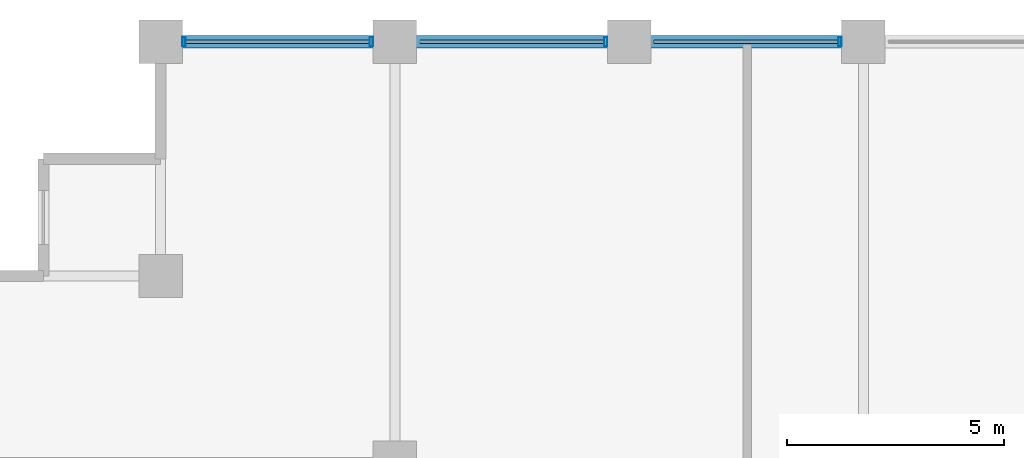
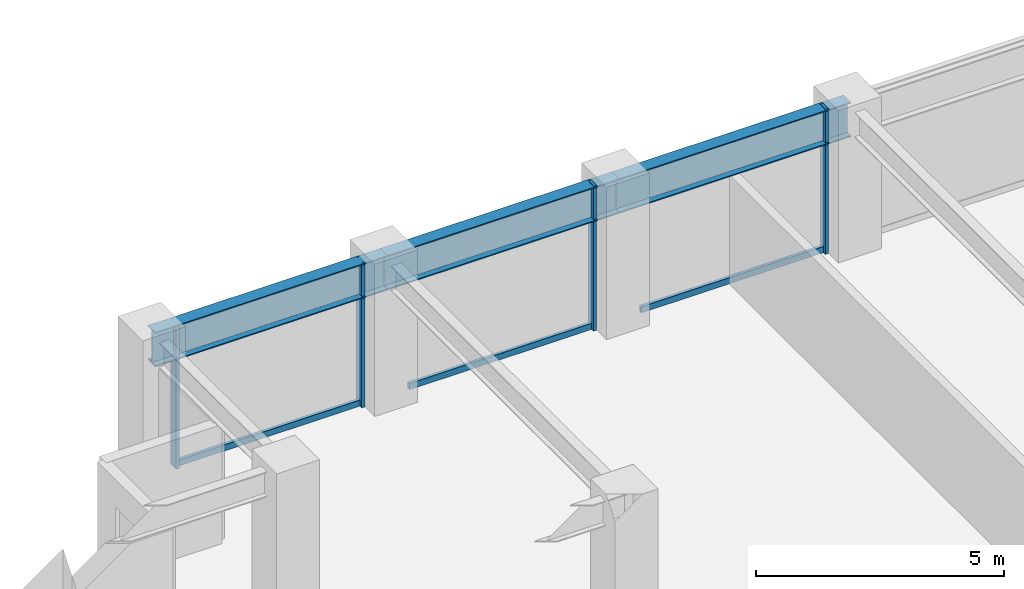
# One storey, part 14 of 29: 7 members, 3 beams, 1 element without a shape of its own.
"""IFC4 building model written with IfcOpenShell, lengths in metres."""

from ifc_helpers import new_model, si_unit, direction, frame, origin, origin_2d, place, context, subcontext, project, spatial, hollow_rectangle, i_section, extrude, material, layer, layer_set, material_profile, profile_set, type_object, element, aggregate, save


model = new_model("IFC4")

# Units and contexts
model_context = context("Model", 3, precision=1e-05, world=origin(), true_north=direction((0.0, 1.0)))
body_context = subcontext(model_context, "Body", "Model", "MODEL_VIEW")
ifc_project = project(units=[si_unit("LENGTHUNIT", "METRE"), si_unit("AREAUNIT", "SQUARE_METRE"), si_unit("VOLUMEUNIT", "CUBIC_METRE"), si_unit("PLANEANGLEUNIT", "RADIAN"), si_unit("MASSUNIT", "GRAM", prefix="KILO")], contexts=[model_context])

# Site, building, storey
site_placement = place(None, origin())
site = spatial("IfcSite", under=ifc_project, at=site_placement, CompositionType="ELEMENT")
building_placement = place(site_placement, origin())
building = spatial("IfcBuilding", under=site, at=building_placement, Name="Surkhivell Harbour Commons", CompositionType="ELEMENT")
storey_placement = place(building_placement, frame((0.0, 0.0, 150.75)))
storey = spatial("IfcBuildingStorey", under=building, at=storey_placement, Name="L39", CompositionType="ELEMENT", Elevation=150.75)

# Beams
ifc_material_1 = material(Name="Steel S460", Category="steel")
ifc_material_profile_1 = material_profile(ifc_material_1, i_section(OverallWidth=0.2939453125, OverallDepth=0.85107421875, WebThickness=0.01611328125, FlangeThickness=0.02685546875, at=origin_2d()), Name="UB838x292x226")
ifc_profile_set_1 = profile_set([ifc_material_profile_1], Name="Steel S460")
beam_type = type_object("IfcBeamType", Name="BM-SPN-838", PredefinedType="SPANDREL", material=ifc_profile_set_1)
beam_1_placement = place(storey_placement, frame((-27.0, 25.89990234375, 3.14453125), z_axis=(1.0, 0.0, 0.0), x_axis=(0.0, 1.0, 0.0)))
element("IfcBeam", 1, at=beam_1_placement, inside=storey, type_object=beam_type, Name="L39 Tube Spandrel (-27.0,25.9)", PredefinedType="SPANDREL", context=body_context, shape_type="SweptSolid", body=[
    extrude(i_section(OverallWidth=0.2939453125, OverallDepth=0.85107421875, WebThickness=0.01611328125, FlangeThickness=0.02685546875, at=origin_2d()), origin(), (0.0, 0.0, 1.0), 5.39990234375),
])
beam_2_placement = place(storey_placement, frame((-21.60009765625, 25.89990234375, 3.14453125), z_axis=(1.0, 0.0, 0.0), x_axis=(0.0, 1.0, 0.0)))
element("IfcBeam", 2, at=beam_2_placement, inside=storey, type_object=beam_type, Name="L39 Tube Spandrel (-21.6,25.9)", PredefinedType="SPANDREL", context=body_context, shape_type="SweptSolid", body=[
    extrude(i_section(OverallWidth=0.2939453125, OverallDepth=0.85107421875, WebThickness=0.01611328125, FlangeThickness=0.02685546875, at=origin_2d()), origin(), (0.0, 0.0, 1.0), 5.400146484375),
])
beam_3_placement = place(storey_placement, frame((-16.199951171875, 25.89990234375, 3.14453125), z_axis=(1.0, 0.0, 0.0), x_axis=(0.0, 1.0, 0.0)))
element("IfcBeam", 3, at=beam_3_placement, inside=storey, type_object=beam_type, Name="L39 Tube Spandrel (-16.2,25.9)", PredefinedType="SPANDREL", context=body_context, shape_type="SweptSolid", body=[
    extrude(i_section(OverallWidth=0.2939453125, OverallDepth=0.85107421875, WebThickness=0.01611328125, FlangeThickness=0.02685546875, at=origin_2d()), origin(), (0.0, 0.0, 1.0), 5.39990234375),
])

# Curtain wall, members
ifc_material_2 = material(Name="Anodised pale-metal aluminium and insulated glazing", Category="aluminium")
ifc_layer = layer(ifc_material_2, 0.205078125)
ifc_layer_set = layer_set([ifc_layer], Name="Anodised pale-metal aluminium and insulated glazing")
curtain_wall_type = type_object("IfcCurtainWallType", Name="CW-SYS-Z2", PredefinedType="NOTDEFINED", material=ifc_layer_set)
curtain_wall_placement = place(storey_placement, origin())
curtain_wall = element("IfcCurtainWall", 4, at=curtain_wall_placement, inside=storey, type_object=curtain_wall_type, Name="L39 Curtain Wall CW-L39-E07S2", PredefinedType="NOTDEFINED")
ifc_material_3 = material(Name="Anodised pale-metal aluminium alloy 6063-T6", Category="aluminium")
ifc_material_profile_2 = material_profile(ifc_material_3, hollow_rectangle(XDim=0.074951171875, YDim=0.219970703125, WallThickness=0.00390625, at=origin_2d()), Name="ALU-MULL-75x220")
ifc_profile_set_2 = profile_set([ifc_material_profile_2], Name="Anodised pale-metal aluminium alloy 6063-T6")
member_type_1 = type_object("IfcMemberType", Name="CWM-220", PredefinedType="MULLION", material=ifc_profile_set_2)
member_1_placement = place(storey_placement, frame((-11.339599609375, 25.89990234375, 0.0), z_axis=(0.0, 0.0, 1.0), x_axis=(-1.0, 0.0, 0.0)))
member_1 = element("IfcMember", 5, at=member_1_placement, type_object=member_type_1, Name="CW-Z2 mullion 2", PredefinedType="MULLION", context=body_context, shape_type="SweptSolid", body=[
    extrude(hollow_rectangle(XDim=0.074951171875, YDim=0.219970703125, WallThickness=0.00390625, at=origin_2d()), origin(), (0.0, 0.0, 1.0), 3.570068359375),
])
member_2_placement = place(storey_placement, frame((-16.739501953125, 25.89990234375, 0.0), z_axis=(0.0, 0.0, 1.0), x_axis=(-1.0, 0.0, 0.0)))
member_2 = element("IfcMember", 6, at=member_2_placement, type_object=member_type_1, Name="CW-Z2 mullion 3", PredefinedType="MULLION", context=body_context, shape_type="SweptSolid", body=[
    extrude(hollow_rectangle(XDim=0.074951171875, YDim=0.219970703125, WallThickness=0.00390625, at=origin_2d()), origin(), (0.0, 0.0, 1.0), 3.570068359375),
])
member_3_placement = place(storey_placement, frame((-22.139404296875, 25.89990234375, 0.0), z_axis=(0.0, 0.0, 1.0), x_axis=(-1.0, 0.0, 0.0)))
member_3 = element("IfcMember", 7, at=member_3_placement, type_object=member_type_1, Name="CW-Z2 mullion 4", PredefinedType="MULLION", context=body_context, shape_type="SweptSolid", body=[
    extrude(hollow_rectangle(XDim=0.074951171875, YDim=0.219970703125, WallThickness=0.00390625, at=origin_2d()), origin(), (0.0, 0.0, 1.0), 3.570068359375),
])
member_4_placement = place(storey_placement, frame((-26.46044921875, 25.89990234375, 0.0), z_axis=(0.0, 0.0, 1.0), x_axis=(-1.0, 0.0, 0.0)))
member_4 = element("IfcMember", 8, at=member_4_placement, type_object=member_type_1, Name="CW-Z2 mullion 5", PredefinedType="MULLION", context=body_context, shape_type="SweptSolid", body=[
    extrude(hollow_rectangle(XDim=0.074951171875, YDim=0.219970703125, WallThickness=0.00390625, at=origin_2d()), origin(), (0.0, 0.0, 1.0), 3.570068359375),
])
ifc_material_profile_3 = material_profile(ifc_material_3, hollow_rectangle(XDim=0.074951171875, YDim=0.14990234375, WallThickness=0.00341796875, at=origin_2d()), Name="ALU-TRAN-75x150")
ifc_profile_set_3 = profile_set([ifc_material_profile_3], Name="Anodised pale-metal aluminium alloy 6063-T6")
member_type_2 = type_object("IfcMemberType", Name="CWT-150", PredefinedType="USERDEFINED", material=ifc_profile_set_3)
member_5_placement = place(storey_placement, frame((-11.376953125, 25.89990234375, 0.074951171875), z_axis=(-1.0, 0.0, 0.0), x_axis=(0.0, -1.0, 0.0)))
member_5 = element("IfcMember", 9, at=member_5_placement, type_object=member_type_2, Name="CW-Z2 transom 2.1", ObjectType="TRANSOM", PredefinedType="USERDEFINED", context=body_context, shape_type="SweptSolid", body=[
    extrude(hollow_rectangle(XDim=0.074951171875, YDim=0.14990234375, WallThickness=0.00341796875, at=origin_2d()), origin(), (0.0, 0.0, 1.0), 4.24609375),
])
member_6_placement = place(storey_placement, frame((-16.777099609375, 25.89990234375, 0.074951171875), z_axis=(-1.0, 0.0, 0.0), x_axis=(0.0, -1.0, 0.0)))
member_6 = element("IfcMember", 10, at=member_6_placement, type_object=member_type_2, Name="CW-Z2 transom 3.1", ObjectType="TRANSOM", PredefinedType="USERDEFINED", context=body_context, shape_type="SweptSolid", body=[
    extrude(hollow_rectangle(XDim=0.074951171875, YDim=0.14990234375, WallThickness=0.00341796875, at=origin_2d()), origin(), (0.0, 0.0, 1.0), 4.245849609375),
])
member_7_placement = place(storey_placement, frame((-22.177001953125, 25.89990234375, 0.074951171875), z_axis=(-1.0, 0.0, 0.0), x_axis=(0.0, -1.0, 0.0)))
member_7 = element("IfcMember", 11, at=member_7_placement, type_object=member_type_2, Name="CW-Z2 transom 4.1", ObjectType="TRANSOM", PredefinedType="USERDEFINED", context=body_context, shape_type="SweptSolid", body=[
    extrude(hollow_rectangle(XDim=0.074951171875, YDim=0.14990234375, WallThickness=0.00341796875, at=origin_2d()), origin(), (0.0, 0.0, 1.0), 4.24609375),
])
aggregate(curtain_wall, [member_1, member_5, member_2, member_6, member_3, member_4, member_7])

save(model, "model.ifc")
